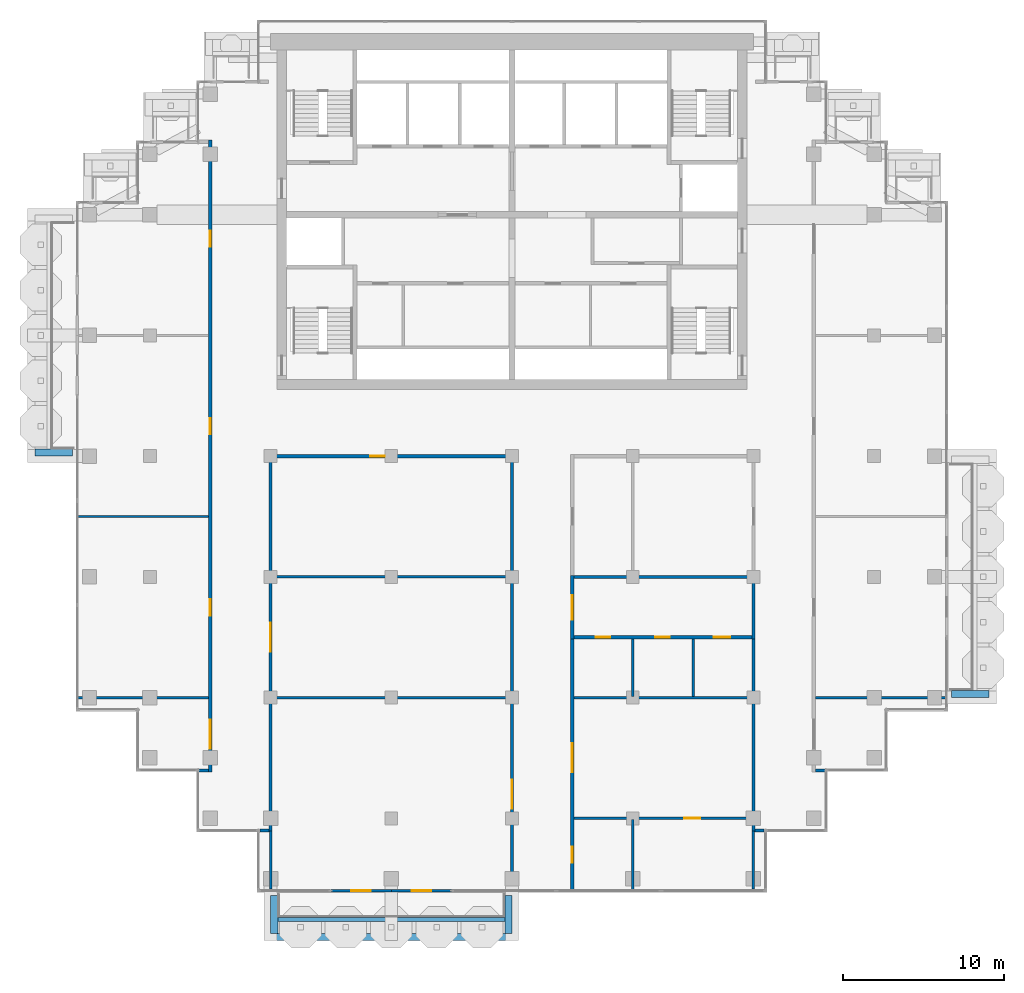
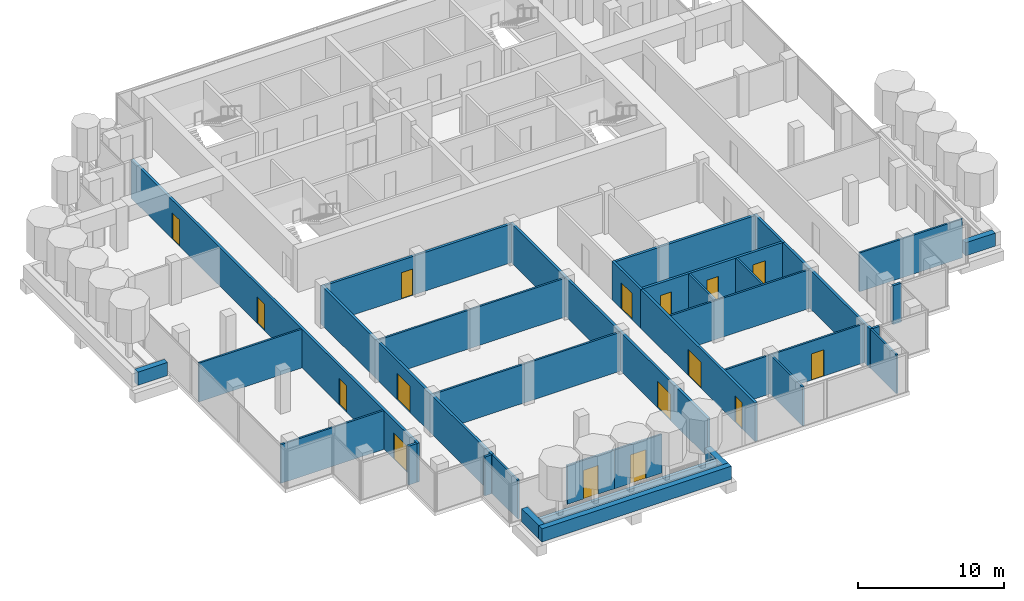
# One storey, part 11 of 18: 34 walls, 16 doors, 16 openings.
"""IFC4 building model written with IfcOpenShell, lengths in metres."""

from ifc_helpers import new_model, si_unit, direction, frame, frame_2d, origin, place, context, subcontext, project, spatial, rectangle, extrude, material, layer, layer_set, type_object, element, fill, save


model = new_model("IFC4")

# Units and contexts
model_context = context("Model", 3, precision=1e-05, world=origin(), true_north=direction((0.0, 1.0)))
body_context = subcontext(model_context, "Body", "Model", "MODEL_VIEW")
ifc_project = project(units=[si_unit("LENGTHUNIT", "METRE"), si_unit("AREAUNIT", "SQUARE_METRE"), si_unit("VOLUMEUNIT", "CUBIC_METRE"), si_unit("PLANEANGLEUNIT", "RADIAN"), si_unit("MASSUNIT", "GRAM", prefix="KILO")], contexts=[model_context])

# Site, building, storey
site_placement = place(None, origin())
site = spatial("IfcSite", under=ifc_project, at=site_placement, CompositionType="ELEMENT")
building_placement = place(site_placement, origin())
building = spatial("IfcBuilding", under=site, at=building_placement, Name="Pilkhan Gate Tower", CompositionType="ELEMENT")
storey_placement = place(building_placement, frame((0.0, 0.0, 249.89990234375)))
storey = spatial("IfcBuildingStorey", under=building, at=storey_placement, Name="L65", CompositionType="ELEMENT", Elevation=249.89990234375)

# Walls
ifc_material_1 = material(Name="Concrete C40/50", Category="concrete")
ifc_layer_1 = layer(ifc_material_1, 0.25)
ifc_layer_set_1 = layer_set([ifc_layer_1], Name="Balcony planter BP250")
wall_type_1 = type_object("IfcWallType", Name="Balcony planter BP250", PredefinedType="USERDEFINED", material=ifc_layer_set_1)
wall_1_placement = place(storey_placement, frame((60.449951171875, 38.72509765625, 0.0), z_axis=(0.0, 0.0, 1.0), x_axis=(1.0, 0.0, 0.0)))
element("IfcWall", 1, at=wall_1_placement, inside=storey, type_object=wall_type_1, Name="Balcony planter L65 S", ObjectType="BALCONY PLANTER", PredefinedType="USERDEFINED", context=body_context, shape_type="SweptSolid", body=[
    extrude(rectangle(XDim=14.10009765625, YDim=0.25, at=frame_2d((7.050048828125, 0.0))), origin(), (0.0, 0.0, 1.0), 1.0),
])
ifc_material_2 = material(Name="Board-marked Concrete C40/50", Category="concrete")
ifc_layer_2 = layer(ifc_material_2, 0.449951171875)
ifc_layer_set_2 = layer_set([ifc_layer_2], Name="Balcony planter lip BL450")
wall_type_2 = type_object("IfcWallType", Name="Balcony planter lip BL450", PredefinedType="USERDEFINED", material=ifc_layer_set_2)
wall_2_placement = place(storey_placement, frame((60.0, 37.625, 0.0), z_axis=(0.0, 0.0, 1.0), x_axis=(1.0, 0.0, 0.0)))
element("IfcWall", 2, at=wall_2_placement, inside=storey, type_object=wall_type_2, Name="Balcony planter L65 S", ObjectType="BALCONY PLANTER", PredefinedType="USERDEFINED", context=body_context, shape_type="SweptSolid", body=[
    extrude(rectangle(XDim=15.0, YDim=0.449951171875, at=frame_2d((7.5, 0.0))), origin(), (0.0, 0.0, 1.0), 1.10009765625),
])
for number, where, z_axis, x_axis, name in (
    (3, (60.22509765625, 40.199951171875, 0.0), (0.0, 0.0, 1.0), (0.0, -1.0, 0.0), "Balcony planter L65 S"),
    (4, (74.77490234375, 40.199951171875, 0.0), (0.0, 0.0, 1.0), (0.0, -1.0, 0.0), "Balcony planter L65 S"),
    (5, (102.300048828125, 52.72509765625, 0.0), (0.0, 0.0, 1.0), (1.0, 0.0, 0.0), "Balcony planter L65 E"),
    (6, (47.699951171875, 67.72509765625, 0.0), (0.0, 0.0, 1.0), (-1.0, 0.0, 0.0), "Balcony planter L65 W"),
):
    element("IfcWall", number, at=place(storey_placement, frame(where, z_axis=z_axis, x_axis=x_axis)), inside=storey, type_object=wall_type_2, Name=name, ObjectType="BALCONY PLANTER", PredefinedType="USERDEFINED", context=body_context, shape_type="SweptSolid", body=[
        extrude(rectangle(XDim=2.349853515625, YDim=0.449951171875, at=frame_2d((1.1748046875, 0.0))), origin(), (0.0, 0.0, 1.0), 1.10009765625),
    ])
ifc_material_3 = material(Name="Dense blockwork", Category="masonry")
ifc_layer_3 = layer(ifc_material_3, 0.199951171875)
ifc_layer_set_3 = layer_set([ifc_layer_3], Name="Corridor wall FW200")
wall_type_3 = type_object("IfcWallType", Name="Corridor wall FW200", PredefinedType="PARTITIONING", material=ifc_layer_set_3)
for number, where, z_axis, x_axis, name in (
    (7, (59.35498046875, 44.235107421875, 0.0), (0.0, 0.0, 1.0), (1.0, 0.0, 0.0), "Partition L65"),
    (8, (90.10009765625, 44.235107421875, 0.0), (0.0, 0.0, 1.0), (1.0, 0.0, 0.0), "Partition L65"),
):
    element("IfcWall", number, at=place(storey_placement, frame(where, z_axis=z_axis, x_axis=x_axis)), inside=storey, type_object=wall_type_3, Name=name, PredefinedType="PARTITIONING", context=body_context, shape_type="SweptSolid", body=[
        extrude(rectangle(XDim=0.544921875, YDim=0.199951171875, at=frame_2d((0.2724609375, 0.0))), origin(), (0.0, 0.0, 1.0), 3.25),
    ])
for number, where, z_axis, x_axis, name in (
    (9, (55.485107421875, 47.969970703125, 0.0), (0.0, 0.0, 1.0), (1.0, 0.0, 0.0), "Partition L65"),
    (10, (93.85009765625, 47.969970703125, 0.0), (0.0, 0.0, 1.0), (1.0, 0.0, 0.0), "Partition L65"),
):
    element("IfcWall", number, at=place(storey_placement, frame(where, z_axis=z_axis, x_axis=x_axis)), inside=storey, type_object=wall_type_3, Name=name, PredefinedType="PARTITIONING", context=body_context, shape_type="SweptSolid", body=[
        extrude(rectangle(XDim=0.664794921875, YDim=0.199951171875, at=frame_2d((0.33251953125, 0.0))), origin(), (0.0, 0.0, 1.0), 3.25),
    ])

# Wall, opening, door
wall_3_placement = place(storey_placement, frame((60.10009765625, 67.5, 0.0), z_axis=(0.0, 0.0, 1.0), x_axis=(1.0, 0.0, 0.0)))
wall_3 = element("IfcWall", 11, at=wall_3_placement, inside=storey, type_object=wall_type_3, Name="Partition L65", PredefinedType="PARTITIONING", context=body_context, shape_type="SweptSolid", body=[
    extrude(rectangle(XDim=14.7998046875, YDim=0.199951171875, at=frame_2d((7.39990234375, 0.0))), origin(), (0.0, 0.0, 1.0), 3.25),
])
opening_1_placement = place(wall_3_placement, frame((6.10009765625, 0.0, 0.0)))
opening_1 = element("IfcOpeningElement", 12, at=opening_1_placement, cuts=wall_3, Name="Opening L65-19", PredefinedType="OPENING", context=body_context, shape_type="SweptSolid", body=[
    extrude(rectangle(XDim=0.89990234375, YDim=2.199951171875, at=frame_2d((0.449951171875, 1.10009765625))), frame((0.0, 0.10986328125, 0.0), z_axis=(0.0, -1.0, 0.0), x_axis=(1.0, 0.0, 0.0)), (0.0, 0.0, 1.0), 0.219970703125),
])
ifc_material_4 = material(Name="Timber flush door, 60 minute fire resisting, self-closing", Category="wood")
door_type_1 = type_object("IfcDoorType", Name="Store door D05 900x2200", OperationType="SINGLE_SWING_LEFT", PredefinedType="DOOR", material=ifc_material_4)
door_1_placement = place(opening_1_placement, origin())
door_1 = element("IfcDoor", 13, at=door_1_placement, inside=storey, type_object=door_type_1, Name="Store door", OperationType="SINGLE_SWING_LEFT", OverallHeight=2.199951171875, OverallWidth=0.89990234375, PredefinedType="DOOR", context=body_context, shape_type="SweptSolid", body=[
    extrude(rectangle(XDim=0.89990234375, YDim=2.199951171875, at=frame_2d((0.449951171875, 1.10009765625))), frame((0.0, 0.02490234375, 0.0), z_axis=(0.0, -1.0, 0.0), x_axis=(1.0, 0.0, 0.0)), (0.0, 0.0, 1.0), 0.050048828125),
])
fill(opening_1, door_1)

# Wall, openings, doors
wall_4_placement = place(storey_placement, frame((56.25, 47.8701171875, 0.0), z_axis=(0.0, 0.0, 1.0), x_axis=(0.0, 1.0, 0.0)))
wall_4 = element("IfcWall", 14, at=wall_4_placement, inside=storey, type_object=wall_type_3, Name="Partition L65", PredefinedType="PARTITIONING", context=body_context, shape_type="SweptSolid", body=[
    extrude(rectangle(XDim=39.259765625, YDim=0.199951171875, at=frame_2d((19.6298828125, 0.0))), origin(), (0.0, 0.0, 1.0), 3.25),
])
opening_2_placement = place(wall_4_placement, frame((1.449951171875, 0.0, 0.0)))
opening_2 = element("IfcOpeningElement", 15, at=opening_2_placement, cuts=wall_4, Name="Opening L65-25", PredefinedType="OPENING", context=body_context, shape_type="SweptSolid", body=[
    extrude(rectangle(XDim=1.800048828125, YDim=2.199951171875, at=frame_2d((0.89990234375, 1.10009765625))), frame((0.0, 0.10986328125, 0.0), z_axis=(0.0, -1.0, 0.0), x_axis=(1.0, 0.0, 0.0)), (0.0, 0.0, 1.0), 0.219970703125),
])
opening_3_placement = place(wall_4_placement, frame((9.72998046875, 0.0, 0.0)))
opening_3 = element("IfcOpeningElement", 16, at=opening_3_placement, cuts=wall_4, Name="Opening L65-26", PredefinedType="OPENING", context=body_context, shape_type="SweptSolid", body=[
    extrude(rectangle(XDim=1.0, YDim=2.199951171875, at=frame_2d((0.5, 1.10009765625))), frame((0.0, 0.10986328125, 0.0), z_axis=(0.0, -1.0, 0.0), x_axis=(1.0, 0.0, 0.0)), (0.0, 0.0, 1.0), 0.219970703125),
])
opening_4_placement = place(wall_4_placement, frame((20.97998046875, 0.0, 0.0)))
opening_4 = element("IfcOpeningElement", 17, at=opening_4_placement, cuts=wall_4, Name="Opening L65-27", PredefinedType="OPENING", context=body_context, shape_type="SweptSolid", body=[
    extrude(rectangle(XDim=1.0, YDim=2.199951171875, at=frame_2d((0.5, 1.10009765625))), frame((0.0, 0.10986328125, 0.0), z_axis=(0.0, -1.0, 0.0), x_axis=(1.0, 0.0, 0.0)), (0.0, 0.0, 1.0), 0.219970703125),
])
opening_5_placement = place(wall_4_placement, frame((32.6298828125, 0.0, 0.0)))
opening_5 = element("IfcOpeningElement", 18, at=opening_5_placement, cuts=wall_4, Name="Opening L65-31", PredefinedType="OPENING", context=body_context, shape_type="SweptSolid", body=[
    extrude(rectangle(XDim=1.0, YDim=2.199951171875, at=frame_2d((0.5, 1.10009765625))), frame((0.0, 0.10986328125, 0.0), z_axis=(0.0, -1.0, 0.0), x_axis=(1.0, 0.0, 0.0)), (0.0, 0.0, 1.0), 0.219970703125),
])
ifc_material_5 = material(Name="Timber glazed double door, 30 minute fire resisting", Category="wood")
door_type_2 = type_object("IfcDoorType", Name="Double door D04 1800x2200", OperationType="DOUBLE_DOOR_SINGLE_SWING", PredefinedType="DOOR", material=ifc_material_5)
door_2_placement = place(opening_2_placement, origin())
door_2 = element("IfcDoor", 19, at=door_2_placement, inside=storey, type_object=door_type_2, Name="Double door", OperationType="DOUBLE_DOOR_SINGLE_SWING", OverallHeight=2.199951171875, OverallWidth=1.800048828125, PredefinedType="DOOR", context=body_context, shape_type="SweptSolid", body=[
    extrude(rectangle(XDim=1.800048828125, YDim=2.199951171875, at=frame_2d((0.89990234375, 1.10009765625))), frame((0.0, 0.02490234375, 0.0), z_axis=(0.0, -1.0, 0.0), x_axis=(1.0, 0.0, 0.0)), (0.0, 0.0, 1.0), 0.050048828125),
])
fill(opening_2, door_2)
ifc_material_6 = material(Name="Timber flush door, 30 minute fire resisting", Category="wood")
door_type_3 = type_object("IfcDoorType", Name="Room door D03 1000x2200", OperationType="SINGLE_SWING_LEFT", PredefinedType="DOOR", material=ifc_material_6)
door_3_placement = place(opening_3_placement, origin())
door_3 = element("IfcDoor", 20, at=door_3_placement, inside=storey, type_object=door_type_3, Name="Room door", OperationType="SINGLE_SWING_LEFT", OverallHeight=2.199951171875, OverallWidth=1.0, PredefinedType="DOOR", context=body_context, shape_type="SweptSolid", body=[
    extrude(rectangle(XDim=1.0, YDim=2.199951171875, at=frame_2d((0.5, 1.10009765625))), frame((0.0, 0.02490234375, 0.0), z_axis=(0.0, -1.0, 0.0), x_axis=(1.0, 0.0, 0.0)), (0.0, 0.0, 1.0), 0.050048828125),
])
fill(opening_3, door_3)
door_4_placement = place(opening_4_placement, origin())
door_4 = element("IfcDoor", 21, at=door_4_placement, inside=storey, type_object=door_type_3, Name="Room door", OperationType="SINGLE_SWING_LEFT", OverallHeight=2.199951171875, OverallWidth=1.0, PredefinedType="DOOR", context=body_context, shape_type="SweptSolid", body=[
    extrude(rectangle(XDim=1.0, YDim=2.199951171875, at=frame_2d((0.5, 1.10009765625))), frame((0.0, 0.02490234375, 0.0), z_axis=(0.0, -1.0, 0.0), x_axis=(1.0, 0.0, 0.0)), (0.0, 0.0, 1.0), 0.050048828125),
])
fill(opening_4, door_4)
door_5_placement = place(opening_5_placement, origin())
door_5 = element("IfcDoor", 22, at=door_5_placement, inside=storey, type_object=door_type_3, Name="Room door", OperationType="SINGLE_SWING_RIGHT", OverallHeight=2.199951171875, OverallWidth=1.0, PredefinedType="DOOR", context=body_context, shape_type="SweptSolid", body=[
    extrude(rectangle(XDim=1.0, YDim=2.199951171875, at=frame_2d((0.5, 1.10009765625))), frame((0.0, 0.02490234375, 0.0), z_axis=(0.0, -1.0, 0.0), x_axis=(1.0, 0.0, 0.0)), (0.0, 0.0, 1.0), 0.050048828125),
])
fill(opening_5, door_5)

# Wall, opening, door
wall_5_placement = place(storey_placement, frame((60.0, 44.135009765625, 0.0), z_axis=(0.0, 0.0, 1.0), x_axis=(0.0, 1.0, 0.0)))
wall_5 = element("IfcWall", 23, at=wall_5_placement, inside=storey, type_object=wall_type_3, Name="Partition L65", PredefinedType="PARTITIONING", context=body_context, shape_type="SweptSolid", body=[
    extrude(rectangle(XDim=23.465087890625, YDim=0.199951171875, at=frame_2d((11.732421875, 0.0))), origin(), (0.0, 0.0, 1.0), 3.25),
])
opening_6_placement = place(wall_5_placement, frame((11.215087890625, 0.0, 0.0)))
opening_6 = element("IfcOpeningElement", 24, at=opening_6_placement, cuts=wall_5, Name="Opening L65-18", PredefinedType="OPENING", context=body_context, shape_type="SweptSolid", body=[
    extrude(rectangle(XDim=1.800048828125, YDim=2.199951171875, at=frame_2d((0.89990234375, 1.10009765625))), frame((0.0, 0.10986328125, 0.0), z_axis=(0.0, -1.0, 0.0), x_axis=(1.0, 0.0, 0.0)), (0.0, 0.0, 1.0), 0.219970703125),
])
door_6_placement = place(opening_6_placement, origin())
door_6 = element("IfcDoor", 25, at=door_6_placement, inside=storey, type_object=door_type_2, Name="Double door", OperationType="DOUBLE_DOOR_SINGLE_SWING", OverallHeight=2.199951171875, OverallWidth=1.800048828125, PredefinedType="DOOR", context=body_context, shape_type="SweptSolid", body=[
    extrude(rectangle(XDim=1.800048828125, YDim=2.199951171875, at=frame_2d((0.89990234375, 1.10009765625))), frame((0.0, 0.02490234375, 0.0), z_axis=(0.0, -1.0, 0.0), x_axis=(1.0, 0.0, 0.0)), (0.0, 0.0, 1.0), 0.050048828125),
])
fill(opening_6, door_6)

wall_6_placement = place(storey_placement, frame((75.0, 40.485107421875, 0.0), z_axis=(0.0, 0.0, 1.0), x_axis=(0.0, 1.0, 0.0)))
wall_6 = element("IfcWall", 26, at=wall_6_placement, inside=storey, type_object=wall_type_3, Name="Partition L65", PredefinedType="PARTITIONING", context=body_context, shape_type="SweptSolid", body=[
    extrude(rectangle(XDim=27.114990234375, YDim=0.199951171875, at=frame_2d((13.5576171875, 0.0))), origin(), (0.0, 0.0, 1.0), 3.25),
])
opening_7_placement = place(wall_6_placement, frame((5.10009765625, 0.0, 0.0)))
opening_7 = element("IfcOpeningElement", 27, at=opening_7_placement, cuts=wall_6, Name="Opening L65-17", PredefinedType="OPENING", context=body_context, shape_type="SweptSolid", body=[
    extrude(rectangle(XDim=1.800048828125, YDim=2.199951171875, at=frame_2d((0.89990234375, 1.10009765625))), frame((0.0, 0.10986328125, 0.0), z_axis=(0.0, -1.0, 0.0), x_axis=(1.0, 0.0, 0.0)), (0.0, 0.0, 1.0), 0.219970703125),
])
door_7_placement = place(opening_7_placement, origin())
door_7 = element("IfcDoor", 28, at=door_7_placement, inside=storey, type_object=door_type_2, Name="Double door", OperationType="DOUBLE_DOOR_SINGLE_SWING", OverallHeight=2.199951171875, OverallWidth=1.800048828125, PredefinedType="DOOR", context=body_context, shape_type="SweptSolid", body=[
    extrude(rectangle(XDim=1.800048828125, YDim=2.199951171875, at=frame_2d((0.89990234375, 1.10009765625))), frame((0.0, 0.02490234375, 0.0), z_axis=(0.0, -1.0, 0.0), x_axis=(1.0, 0.0, 0.0)), (0.0, 0.0, 1.0), 0.050048828125),
])
fill(opening_7, door_7)

# Wall, openings, doors
wall_7_placement = place(storey_placement, frame((78.75, 40.485107421875, 0.0), z_axis=(0.0, 0.0, 1.0), x_axis=(0.0, 1.0, 0.0)))
wall_7 = element("IfcWall", 29, at=wall_7_placement, inside=storey, type_object=wall_type_3, Name="Partition L65", PredefinedType="PARTITIONING", context=body_context, shape_type="SweptSolid", body=[
    extrude(rectangle(XDim=15.764892578125, YDim=0.199951171875, at=frame_2d((7.88232421875, 0.0))), origin(), (0.0, 0.0, 1.0), 3.25),
])
opening_8_placement = place(wall_7_placement, frame((1.75, 0.0, 0.0)))
opening_8 = element("IfcOpeningElement", 30, at=opening_8_placement, cuts=wall_7, Name="Opening L65-20", PredefinedType="OPENING", context=body_context, shape_type="SweptSolid", body=[
    extrude(rectangle(XDim=1.0, YDim=2.199951171875, at=frame_2d((0.5, 1.10009765625))), frame((0.0, 0.10986328125, 0.0), z_axis=(0.0, -1.0, 0.0), x_axis=(1.0, 0.0, 0.0)), (0.0, 0.0, 1.0), 0.219970703125),
])
opening_9_placement = place(wall_7_placement, frame((7.364990234375, 0.0, 0.0)))
opening_9 = element("IfcOpeningElement", 31, at=opening_9_placement, cuts=wall_7, Name="Opening L65-22", PredefinedType="OPENING", context=body_context, shape_type="SweptSolid", body=[
    extrude(rectangle(XDim=1.800048828125, YDim=2.199951171875, at=frame_2d((0.89990234375, 1.10009765625))), frame((0.0, 0.10986328125, 0.0), z_axis=(0.0, -1.0, 0.0), x_axis=(1.0, 0.0, 0.0)), (0.0, 0.0, 1.0), 0.219970703125),
])
door_8_placement = place(opening_9_placement, origin())
door_8 = element("IfcDoor", 32, at=door_8_placement, inside=storey, type_object=door_type_2, Name="Double door", OperationType="DOUBLE_DOOR_SINGLE_SWING", OverallHeight=2.199951171875, OverallWidth=1.800048828125, PredefinedType="DOOR", context=body_context, shape_type="SweptSolid", body=[
    extrude(rectangle(XDim=1.800048828125, YDim=2.199951171875, at=frame_2d((0.89990234375, 1.10009765625))), frame((0.0, 0.02490234375, 0.0), z_axis=(0.0, -1.0, 0.0), x_axis=(1.0, 0.0, 0.0)), (0.0, 0.0, 1.0), 0.050048828125),
])
fill(opening_9, door_8)
door_9_placement = place(opening_8_placement, origin())
door_9 = element("IfcDoor", 33, at=door_9_placement, inside=storey, type_object=door_type_3, Name="Room door", OperationType="SINGLE_SWING_LEFT", OverallHeight=2.199951171875, OverallWidth=1.0, PredefinedType="DOOR", context=body_context, shape_type="SweptSolid", body=[
    extrude(rectangle(XDim=1.0, YDim=2.199951171875, at=frame_2d((0.5, 1.10009765625))), frame((0.0, 0.02490234375, 0.0), z_axis=(0.0, -1.0, 0.0), x_axis=(1.0, 0.0, 0.0)), (0.0, 0.0, 1.0), 0.050048828125),
])
fill(opening_8, door_9)

# Wall
wall_8_placement = place(storey_placement, frame((90.0, 44.135009765625, 0.0), z_axis=(0.0, 0.0, 1.0), x_axis=(0.0, 1.0, 0.0)))
element("IfcWall", 34, at=wall_8_placement, inside=storey, type_object=wall_type_3, Name="Partition L65", PredefinedType="PARTITIONING", context=body_context, shape_type="SweptSolid", body=[
    extrude(rectangle(XDim=12.114990234375, YDim=0.199951171875, at=frame_2d((6.0576171875, 0.0))), origin(), (0.0, 0.0, 1.0), 3.25),
])

# Wall, opening, door
ifc_material_7 = material(Name="Pale anodised aluminium, clear laminated glazing", Category="aluminium")
ifc_layer_4 = layer(ifc_material_7, 0.14990234375)
ifc_layer_set_4 = layer_set([ifc_layer_4], Name="Facade infill wall IW150")
wall_type_4 = type_object("IfcWallType", Name="Facade infill wall IW150", PredefinedType="SOLIDWALL", material=ifc_layer_set_4)
wall_9_placement = place(storey_placement, frame((63.75, 40.5, 0.0), z_axis=(0.0, 0.0, 1.0), x_axis=(1.0, 0.0, 0.0)))
wall_9 = element("IfcWall", 35, at=wall_9_placement, inside=storey, type_object=wall_type_4, Name="Infill wall L65 S", PredefinedType="SOLIDWALL", context=body_context, shape_type="SweptSolid", body=[
    extrude(rectangle(XDim=3.75, YDim=0.14990234375, at=frame_2d((1.875, 0.0))), origin(), (0.0, 0.0, 1.0), 3.25),
])
opening_10_placement = place(wall_9_placement, frame((1.27490234375, 0.0, 0.0)))
opening_10 = element("IfcOpeningElement", 36, at=opening_10_placement, cuts=wall_9, Name="Opening D1", PredefinedType="OPENING", context=body_context, shape_type="SweptSolid", body=[
    extrude(rectangle(XDim=1.199951171875, YDim=2.39990234375, at=frame_2d((0.60009765625, 1.199951171875))), frame((0.0, 0.0849609375, 0.0), z_axis=(0.0, -1.0, 0.0), x_axis=(1.0, 0.0, 0.0)), (0.0, 0.0, 1.0), 0.169921875),
])
ifc_material_8 = material(Name="Pale anodised aluminium, clear glazing", Category="aluminium")
door_type_4 = type_object("IfcDoorType", Name="Balcony door D1 1200x2400", OperationType="SINGLE_SWING_LEFT", PredefinedType="DOOR", material=ifc_material_8)
door_10_placement = place(opening_10_placement, origin())
door_10 = element("IfcDoor", 37, at=door_10_placement, inside=storey, type_object=door_type_4, Name="Balcony door L65", OperationType="SINGLE_SWING_LEFT", OverallHeight=2.39990234375, OverallWidth=1.199951171875, PredefinedType="DOOR", context=body_context, shape_type="SweptSolid", body=[
    extrude(rectangle(XDim=1.199951171875, YDim=2.39990234375, at=frame_2d((0.60009765625, 1.199951171875))), frame((0.0, 0.02490234375, 0.0), z_axis=(0.0, -1.0, 0.0), x_axis=(1.0, 0.0, 0.0)), (0.0, 0.0, 1.0), 0.050048828125),
])
fill(opening_10, door_10)

wall_10_placement = place(storey_placement, frame((67.5, 40.5, 0.0), z_axis=(0.0, 0.0, 1.0), x_axis=(1.0, 0.0, 0.0)))
wall_10 = element("IfcWall", 38, at=wall_10_placement, inside=storey, type_object=wall_type_4, Name="Infill wall L65 S", PredefinedType="SOLIDWALL", context=body_context, shape_type="SweptSolid", body=[
    extrude(rectangle(XDim=3.75, YDim=0.14990234375, at=frame_2d((1.875, 0.0))), origin(), (0.0, 0.0, 1.0), 3.25),
])
opening_11_placement = place(wall_10_placement, frame((1.27490234375, 0.0, 0.0)))
opening_11 = element("IfcOpeningElement", 39, at=opening_11_placement, cuts=wall_10, Name="Opening D1", PredefinedType="OPENING", context=body_context, shape_type="SweptSolid", body=[
    extrude(rectangle(XDim=1.199951171875, YDim=2.39990234375, at=frame_2d((0.60009765625, 1.199951171875))), frame((0.0, 0.0849609375, 0.0), z_axis=(0.0, -1.0, 0.0), x_axis=(1.0, 0.0, 0.0)), (0.0, 0.0, 1.0), 0.169921875),
])
door_11_placement = place(opening_11_placement, origin())
door_11 = element("IfcDoor", 40, at=door_11_placement, inside=storey, type_object=door_type_4, Name="Balcony door L65", OperationType="SINGLE_SWING_LEFT", OverallHeight=2.39990234375, OverallWidth=1.199951171875, PredefinedType="DOOR", context=body_context, shape_type="SweptSolid", body=[
    extrude(rectangle(XDim=1.199951171875, YDim=2.39990234375, at=frame_2d((0.60009765625, 1.199951171875))), frame((0.0, 0.02490234375, 0.0), z_axis=(0.0, -1.0, 0.0), x_axis=(1.0, 0.0, 0.0)), (0.0, 0.0, 1.0), 0.050048828125),
])
fill(opening_11, door_11)

# Wall, openings, doors
ifc_layer_5 = layer(ifc_material_3, 0.199951171875)
ifc_layer_set_5 = layer_set([ifc_layer_5], Name="Lobby wall LW200")
wall_type_5 = type_object("IfcWallType", Name="Lobby wall LW200", PredefinedType="PARTITIONING", material=ifc_layer_set_5)
wall_11_placement = place(storey_placement, frame((78.85009765625, 56.25, 0.0), z_axis=(0.0, 0.0, 1.0), x_axis=(1.0, 0.0, 0.0)))
wall_11 = element("IfcWall", 41, at=wall_11_placement, inside=storey, type_object=wall_type_5, Name="Partition L65", PredefinedType="PARTITIONING", context=body_context, shape_type="SweptSolid", body=[
    extrude(rectangle(XDim=11.0498046875, YDim=0.199951171875, at=frame_2d((5.52490234375, 0.0))), origin(), (0.0, 0.0, 1.0), 3.25),
])
opening_12_placement = place(wall_11_placement, frame((1.35009765625, 0.0, 0.0)))
opening_12 = element("IfcOpeningElement", 42, at=opening_12_placement, cuts=wall_11, Name="Opening L65-14", PredefinedType="OPENING", context=body_context, shape_type="SweptSolid", body=[
    extrude(rectangle(XDim=0.89990234375, YDim=2.199951171875, at=frame_2d((0.449951171875, 1.10009765625))), frame((0.0, 0.10986328125, 0.0), z_axis=(0.0, -1.0, 0.0), x_axis=(1.0, 0.0, 0.0)), (0.0, 0.0, 1.0), 0.219970703125),
])
opening_13_placement = place(wall_11_placement, frame((5.050048828125, 0.0, 0.0)))
opening_13 = element("IfcOpeningElement", 43, at=opening_13_placement, cuts=wall_11, Name="Opening L65-15", PredefinedType="OPENING", context=body_context, shape_type="SweptSolid", body=[
    extrude(rectangle(XDim=0.89990234375, YDim=2.199951171875, at=frame_2d((0.449951171875, 1.10009765625))), frame((0.0, 0.10986328125, 0.0), z_axis=(0.0, -1.0, 0.0), x_axis=(1.0, 0.0, 0.0)), (0.0, 0.0, 1.0), 0.219970703125),
])
opening_14_placement = place(wall_11_placement, frame((8.699951171875, 0.0, 0.0)))
opening_14 = element("IfcOpeningElement", 44, at=opening_14_placement, cuts=wall_11, Name="Opening L65-16", PredefinedType="OPENING", context=body_context, shape_type="SweptSolid", body=[
    extrude(rectangle(XDim=1.0, YDim=2.199951171875, at=frame_2d((0.5, 1.10009765625))), frame((0.0, 0.10986328125, 0.0), z_axis=(0.0, -1.0, 0.0), x_axis=(1.0, 0.0, 0.0)), (0.0, 0.0, 1.0), 0.219970703125),
])
ifc_material_9 = material(Name="Timber flush door, outward opening, 30 minute fire resisting", Category="wood")
door_type_5 = type_object("IfcDoorType", Name="Accessible toilet door D07 1000x2200", OperationType="SINGLE_SWING_LEFT", PredefinedType="DOOR", material=ifc_material_9)
door_12_placement = place(opening_14_placement, origin())
door_12 = element("IfcDoor", 45, at=door_12_placement, inside=storey, type_object=door_type_5, Name="Accessible toilet door", OperationType="SINGLE_SWING_LEFT", OverallHeight=2.199951171875, OverallWidth=1.0, PredefinedType="DOOR", context=body_context, shape_type="SweptSolid", body=[
    extrude(rectangle(XDim=1.0, YDim=2.199951171875, at=frame_2d((0.5, 1.10009765625))), frame((0.0, 0.02490234375, 0.0), z_axis=(0.0, -1.0, 0.0), x_axis=(1.0, 0.0, 0.0)), (0.0, 0.0, 1.0), 0.050048828125),
])
fill(opening_14, door_12)
door_type_6 = type_object("IfcDoorType", Name="Toilet door D06 900x2200", OperationType="SINGLE_SWING_LEFT", PredefinedType="DOOR", material=ifc_material_6)
door_13_placement = place(opening_12_placement, origin())
door_13 = element("IfcDoor", 46, at=door_13_placement, inside=storey, type_object=door_type_6, Name="Toilet door", OperationType="SINGLE_SWING_RIGHT", OverallHeight=2.199951171875, OverallWidth=0.89990234375, PredefinedType="DOOR", context=body_context, shape_type="SweptSolid", body=[
    extrude(rectangle(XDim=0.89990234375, YDim=2.199951171875, at=frame_2d((0.449951171875, 1.10009765625))), frame((0.0, 0.02490234375, 0.0), z_axis=(0.0, -1.0, 0.0), x_axis=(1.0, 0.0, 0.0)), (0.0, 0.0, 1.0), 0.050048828125),
])
fill(opening_12, door_13)
door_14_placement = place(opening_13_placement, origin())
door_14 = element("IfcDoor", 47, at=door_14_placement, inside=storey, type_object=door_type_6, Name="Toilet door", OperationType="SINGLE_SWING_RIGHT", OverallHeight=2.199951171875, OverallWidth=0.89990234375, PredefinedType="DOOR", context=body_context, shape_type="SweptSolid", body=[
    extrude(rectangle(XDim=0.89990234375, YDim=2.199951171875, at=frame_2d((0.449951171875, 1.10009765625))), frame((0.0, 0.02490234375, 0.0), z_axis=(0.0, -1.0, 0.0), x_axis=(1.0, 0.0, 0.0)), (0.0, 0.0, 1.0), 0.050048828125),
])
fill(opening_13, door_14)

# Wall
wall_12_placement = place(storey_placement, frame((78.85009765625, 60.0, 0.0), z_axis=(0.0, 0.0, 1.0), x_axis=(1.0, 0.0, 0.0)))
element("IfcWall", 48, at=wall_12_placement, inside=storey, type_object=wall_type_5, Name="Partition L65", PredefinedType="PARTITIONING", context=body_context, shape_type="SweptSolid", body=[
    extrude(rectangle(XDim=11.0498046875, YDim=0.199951171875, at=frame_2d((5.52490234375, 0.0))), origin(), (0.0, 0.0, 1.0), 3.25),
])

# Wall, opening, door
wall_13_placement = place(storey_placement, frame((78.75, 56.14990234375, 0.0), z_axis=(0.0, 0.0, 1.0), x_axis=(0.0, 1.0, 0.0)))
wall_13 = element("IfcWall", 49, at=wall_13_placement, inside=storey, type_object=wall_type_5, Name="Partition L65", PredefinedType="PARTITIONING", context=body_context, shape_type="SweptSolid", body=[
    extrude(rectangle(XDim=3.9501953125, YDim=0.199951171875, at=frame_2d((1.97509765625, 0.0))), origin(), (0.0, 0.0, 1.0), 3.25),
])
opening_15_placement = place(wall_13_placement, frame((1.199951171875, 0.0, 0.0)))
opening_15 = element("IfcOpeningElement", 50, at=opening_15_placement, cuts=wall_13, Name="Opening L65-13", PredefinedType="OPENING", context=body_context, shape_type="SweptSolid", body=[
    extrude(rectangle(XDim=1.5, YDim=2.199951171875, at=frame_2d((0.75, 1.10009765625))), frame((0.0, 0.10986328125, 0.0), z_axis=(0.0, -1.0, 0.0), x_axis=(1.0, 0.0, 0.0)), (0.0, 0.0, 1.0), 0.219970703125),
])
ifc_material_10 = material(Name="Steel framed glazed door, 60 minute fire resisting", Category="steel")
door_type_7 = type_object("IfcDoorType", Name="Lobby door D09 1500x2200", OperationType="DOUBLE_DOOR_SINGLE_SWING", PredefinedType="DOOR", material=ifc_material_10)
door_15_placement = place(opening_15_placement, origin())
door_15 = element("IfcDoor", 51, at=door_15_placement, inside=storey, type_object=door_type_7, Name="Lobby door", OperationType="DOUBLE_DOOR_SINGLE_SWING", OverallHeight=2.199951171875, OverallWidth=1.5, PredefinedType="DOOR", context=body_context, shape_type="SweptSolid", body=[
    extrude(rectangle(XDim=1.5, YDim=2.199951171875, at=frame_2d((0.75, 1.10009765625))), frame((0.0, 0.02490234375, 0.0), z_axis=(0.0, -1.0, 0.0), x_axis=(1.0, 0.0, 0.0)), (0.0, 0.0, 1.0), 0.050048828125),
])
fill(opening_15, door_15)

# Wall
wall_14_placement = place(storey_placement, frame((90.0, 56.14990234375, 0.0), z_axis=(0.0, 0.0, 1.0), x_axis=(0.0, 1.0, 0.0)))
element("IfcWall", 52, at=wall_14_placement, inside=storey, type_object=wall_type_5, Name="Partition L65", PredefinedType="PARTITIONING", context=body_context, shape_type="SweptSolid", body=[
    extrude(rectangle(XDim=3.9501953125, YDim=0.199951171875, at=frame_2d((1.97509765625, 0.0))), origin(), (0.0, 0.0, 1.0), 3.25),
])

# Wall, opening, door
ifc_material_11 = material(Name="Blockwork partition, plastered both sides", Category="masonry")
ifc_layer_6 = layer(ifc_material_11, 0.14990234375)
ifc_layer_set_6 = layer_set([ifc_layer_6], Name="Partition PW150")
wall_type_6 = type_object("IfcWallType", Name="Partition PW150", PredefinedType="PARTITIONING", material=ifc_layer_set_6)
wall_15_placement = place(storey_placement, frame((78.85009765625, 45.0, 0.0), z_axis=(0.0, 0.0, 1.0), x_axis=(1.0, 0.0, 0.0)))
wall_15 = element("IfcWall", 53, at=wall_15_placement, inside=storey, type_object=wall_type_6, Name="Partition L65", PredefinedType="PARTITIONING", context=body_context, shape_type="SweptSolid", body=[
    extrude(rectangle(XDim=11.0498046875, YDim=0.14990234375, at=frame_2d((5.52490234375, 0.0))), origin(), (0.0, 0.0, 1.0), 3.25),
])
opening_16_placement = place(wall_15_placement, frame((6.85009765625, 0.0, 0.0)))
opening_16 = element("IfcOpeningElement", 54, at=opening_16_placement, cuts=wall_15, Name="Opening L65-21", PredefinedType="OPENING", context=body_context, shape_type="SweptSolid", body=[
    extrude(rectangle(XDim=1.0, YDim=2.199951171875, at=frame_2d((0.5, 1.10009765625))), frame((0.0, 0.0849609375, 0.0), z_axis=(0.0, -1.0, 0.0), x_axis=(1.0, 0.0, 0.0)), (0.0, 0.0, 1.0), 0.169921875),
])
door_16_placement = place(opening_16_placement, origin())
door_16 = element("IfcDoor", 55, at=door_16_placement, inside=storey, type_object=door_type_3, Name="Room door", OperationType="SINGLE_SWING_LEFT", OverallHeight=2.199951171875, OverallWidth=1.0, PredefinedType="DOOR", context=body_context, shape_type="SweptSolid", body=[
    extrude(rectangle(XDim=1.0, YDim=2.199951171875, at=frame_2d((0.5, 1.10009765625))), frame((0.0, 0.02490234375, 0.0), z_axis=(0.0, -1.0, 0.0), x_axis=(1.0, 0.0, 0.0)), (0.0, 0.0, 1.0), 0.050048828125),
])
fill(opening_16, door_16)

# Walls
wall_16_placement = place(storey_placement, frame((47.985107421875, 52.5, 0.0), z_axis=(0.0, 0.0, 1.0), x_axis=(1.0, 0.0, 0.0)))
element("IfcWall", 56, at=wall_16_placement, inside=storey, type_object=wall_type_6, Name="Partition L65", PredefinedType="PARTITIONING", context=body_context, shape_type="SweptSolid", body=[
    extrude(rectangle(XDim=8.164794921875, YDim=0.14990234375, at=frame_2d((4.08251953125, 0.0))), origin(), (0.0, 0.0, 1.0), 3.25),
])
wall_17_placement = place(storey_placement, frame((60.10009765625, 52.5, 0.0), z_axis=(0.0, 0.0, 1.0), x_axis=(1.0, 0.0, 0.0)))
element("IfcWall", 57, at=wall_17_placement, inside=storey, type_object=wall_type_6, Name="Partition L65", PredefinedType="PARTITIONING", context=body_context, shape_type="SweptSolid", body=[
    extrude(rectangle(XDim=14.7998046875, YDim=0.14990234375, at=frame_2d((7.39990234375, 0.0))), origin(), (0.0, 0.0, 1.0), 3.25),
])
wall_18_placement = place(storey_placement, frame((78.85009765625, 52.5, 0.0), z_axis=(0.0, 0.0, 1.0), x_axis=(1.0, 0.0, 0.0)))
element("IfcWall", 58, at=wall_18_placement, inside=storey, type_object=wall_type_6, Name="Partition L65", PredefinedType="PARTITIONING", context=body_context, shape_type="SweptSolid", body=[
    extrude(rectangle(XDim=11.0498046875, YDim=0.14990234375, at=frame_2d((5.52490234375, 0.0))), origin(), (0.0, 0.0, 1.0), 3.25),
])
wall_19_placement = place(storey_placement, frame((93.85009765625, 52.5, 0.0), z_axis=(0.0, 0.0, 1.0), x_axis=(1.0, 0.0, 0.0)))
element("IfcWall", 59, at=wall_19_placement, inside=storey, type_object=wall_type_6, Name="Partition L65", PredefinedType="PARTITIONING", context=body_context, shape_type="SweptSolid", body=[
    extrude(rectangle(XDim=8.164794921875, YDim=0.14990234375, at=frame_2d((4.08251953125, 0.0))), origin(), (0.0, 0.0, 1.0), 3.25),
])
wall_20_placement = place(storey_placement, frame((60.10009765625, 60.0, 0.0), z_axis=(0.0, 0.0, 1.0), x_axis=(1.0, 0.0, 0.0)))
element("IfcWall", 60, at=wall_20_placement, inside=storey, type_object=wall_type_6, Name="Partition L65", PredefinedType="PARTITIONING", context=body_context, shape_type="SweptSolid", body=[
    extrude(rectangle(XDim=14.7998046875, YDim=0.14990234375, at=frame_2d((7.39990234375, 0.0))), origin(), (0.0, 0.0, 1.0), 3.25),
])
wall_21_placement = place(storey_placement, frame((47.985107421875, 63.75, 0.0), z_axis=(0.0, 0.0, 1.0), x_axis=(1.0, 0.0, 0.0)))
element("IfcWall", 61, at=wall_21_placement, inside=storey, type_object=wall_type_6, Name="Partition L65", PredefinedType="PARTITIONING", context=body_context, shape_type="SweptSolid", body=[
    extrude(rectangle(XDim=8.164794921875, YDim=0.14990234375, at=frame_2d((4.08251953125, 0.0))), origin(), (0.0, 0.0, 1.0), 3.25),
])
wall_22_placement = place(storey_placement, frame((60.0, 40.60498046875, 0.0), z_axis=(0.0, 0.0, 1.0), x_axis=(0.0, 1.0, 0.0)))
element("IfcWall", 62, at=wall_22_placement, inside=storey, type_object=wall_type_6, Name="Partition L65", PredefinedType="PARTITIONING", context=body_context, shape_type="SweptSolid", body=[
    extrude(rectangle(XDim=3.60009765625, YDim=0.14990234375, at=frame_2d((1.800048828125, 0.0))), origin(), (0.0, 0.0, 1.0), 3.25),
])
wall_23_placement = place(storey_placement, frame((82.5, 40.485107421875, 0.0), z_axis=(0.0, 0.0, 1.0), x_axis=(0.0, 1.0, 0.0)))
element("IfcWall", 63, at=wall_23_placement, inside=storey, type_object=wall_type_6, Name="Partition L65", PredefinedType="PARTITIONING", context=body_context, shape_type="SweptSolid", body=[
    extrude(rectangle(XDim=4.43994140625, YDim=0.14990234375, at=frame_2d((2.219970703125, 0.0))), origin(), (0.0, 0.0, 1.0), 3.25),
])
for number, where, z_axis, x_axis, name in (
    (64, (82.5, 52.574951171875, 0.0), (0.0, 0.0, 1.0), (0.0, 1.0, 0.0), "Partition L65"),
    (65, (86.25, 52.574951171875, 0.0), (0.0, 0.0, 1.0), (0.0, 1.0, 0.0), "Partition L65"),
):
    element("IfcWall", number, at=place(storey_placement, frame(where, z_axis=z_axis, x_axis=x_axis)), inside=storey, type_object=wall_type_6, Name=name, PredefinedType="PARTITIONING", context=body_context, shape_type="SweptSolid", body=[
        extrude(rectangle(XDim=3.574951171875, YDim=0.14990234375, at=frame_2d((1.78759765625, 0.0))), origin(), (0.0, 0.0, 1.0), 3.25),
    ])
wall_24_placement = place(storey_placement, frame((90.0, 40.60498046875, 0.0), z_axis=(0.0, 0.0, 1.0), x_axis=(0.0, 1.0, 0.0)))
element("IfcWall", 66, at=wall_24_placement, inside=storey, type_object=wall_type_6, Name="Partition L65", PredefinedType="PARTITIONING", context=body_context, shape_type="SweptSolid", body=[
    extrude(rectangle(XDim=3.60009765625, YDim=0.14990234375, at=frame_2d((1.800048828125, 0.0))), origin(), (0.0, 0.0, 1.0), 3.25),
])

save(model, "model.ifc")
